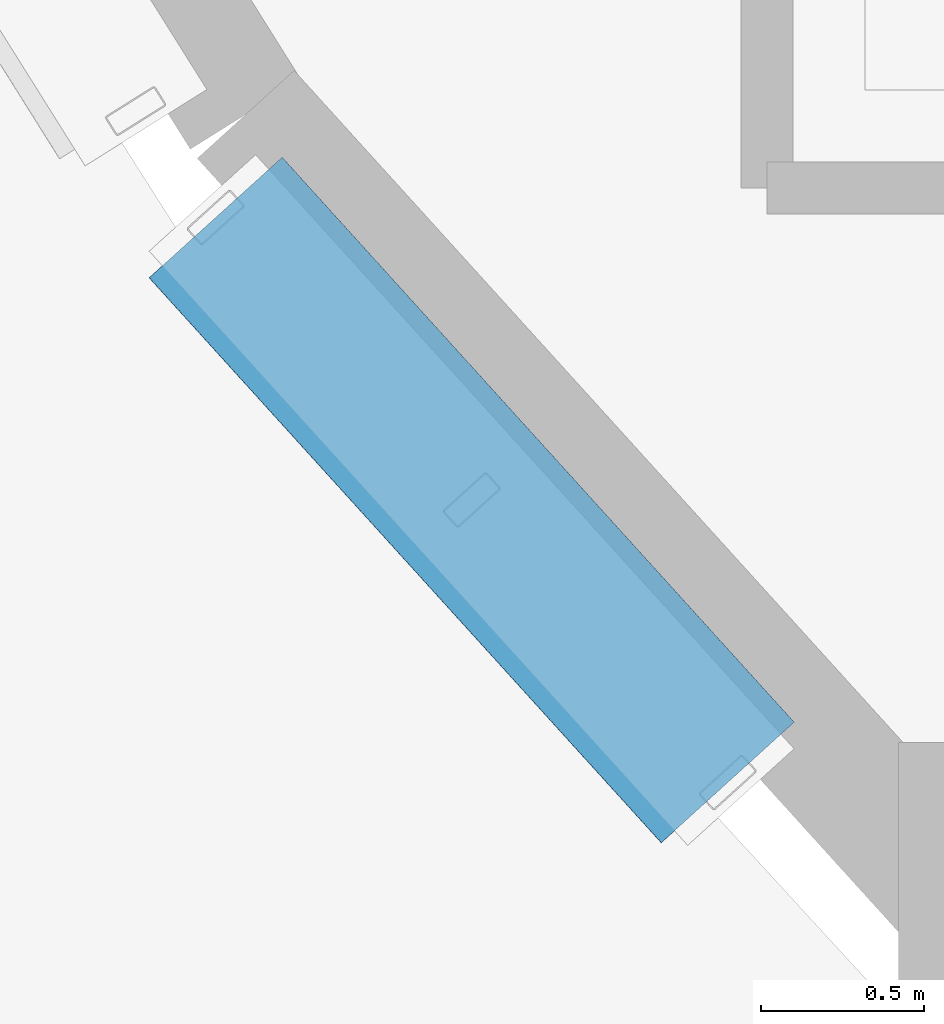
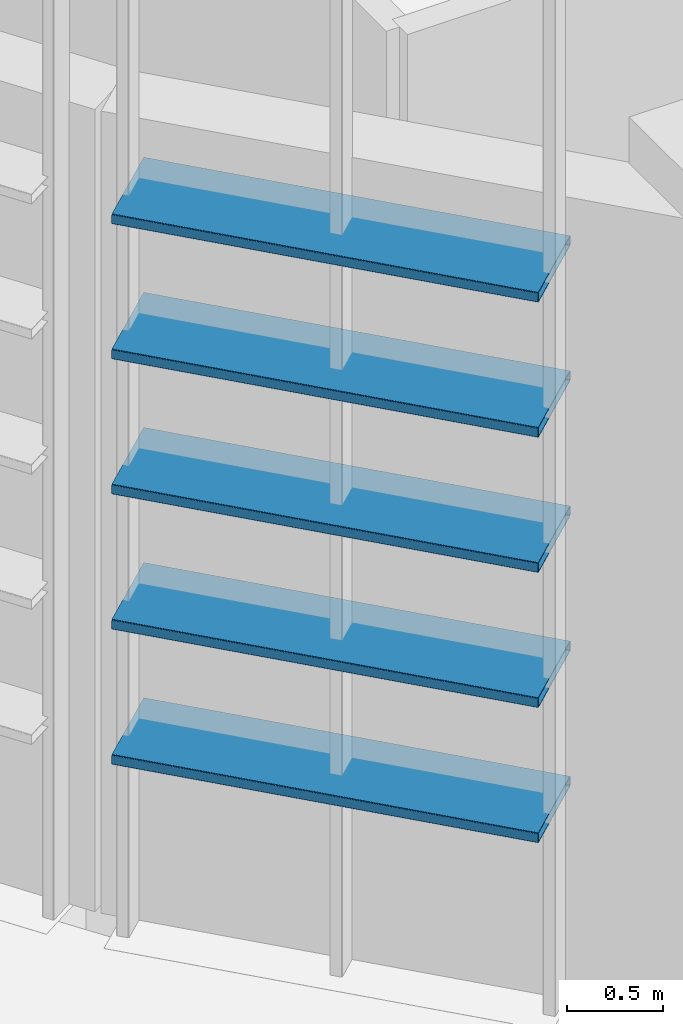
# One storey, part 20 of 372: 5 members.
"""IFC4 building model written with IfcOpenShell, lengths in metres."""

from ifc_helpers import new_model, si_unit, direction, frame, origin, origin_2d, place, context, subcontext, project, spatial, hollow_rectangle, extrude, material, material_profile, profile_set, type_object, element, save


model = new_model("IFC4")

# Units and contexts
model_context = context("Model", 3, precision=1e-05, world=origin(), true_north=direction((0.0, 1.0)))
body_context = subcontext(model_context, "Body", "Model", "MODEL_VIEW")
ifc_project = project(units=[si_unit("LENGTHUNIT", "METRE"), si_unit("AREAUNIT", "SQUARE_METRE"), si_unit("VOLUMEUNIT", "CUBIC_METRE"), si_unit("PLANEANGLEUNIT", "RADIAN"), si_unit("MASSUNIT", "GRAM", prefix="KILO")], contexts=[model_context])

# Site, building, storey
site_placement = place(None, origin())
site = spatial("IfcSite", under=ifc_project, at=site_placement, CompositionType="ELEMENT")
building_placement = place(site_placement, origin())
building = spatial("IfcBuilding", under=site, at=building_placement, Name="Kaelora Sail Theatre", CompositionType="ELEMENT")
storey_placement = place(building_placement, origin())
storey = spatial("IfcBuildingStorey", under=building, at=storey_placement, Name="L00", CompositionType="ELEMENT", Elevation=0.0)

# Members
ifc_material = material(Name="Anodised aluminium 6063-T6", Category="aluminium")
ifc_material_profile = material_profile(ifc_material, hollow_rectangle(XDim=0.550048828125, YDim=0.06494140625, WallThickness=0.00390625, InnerFilletRadius=0.00390625, OuterFilletRadius=0.008056640625, at=origin_2d()), Name="LOUVRE 550x65x4")
ifc_profile_set = profile_set([ifc_material_profile], Name="Anodised aluminium 6063-T6")
member_type = type_object("IfcMemberType", Name="ARC-MEM-LVR-300", PredefinedType="USERDEFINED", material=ifc_profile_set)
for number, where, z_axis, x_axis, name in (
    (1, (33.080078125, 27.680419921875, 1.25), (-0.671589400994, 0.740923529437, 0.0), (-0.740923529437, -0.671589400994, 0.0), "Main Theatre Sail Drum horizontal solar louvre C15-01"),
    (2, (33.080078125, 27.680419921875, 2.110107421875), (-0.671589400994, 0.740923529437, 0.0), (-0.740923529437, -0.671589400994, 0.0), "Main Theatre Sail Drum horizontal solar louvre C15-02"),
    (3, (33.080078125, 27.680419921875, 2.969970703125), (-0.671589400994, 0.740923529437, 0.0), (-0.740923529437, -0.671589400994, 0.0), "Main Theatre Sail Drum horizontal solar louvre C15-03"),
    (4, (33.080078125, 27.680419921875, 3.830078125), (-0.671589400994, 0.740923529437, 0.0), (-0.740923529437, -0.671589400994, 0.0), "Main Theatre Sail Drum horizontal solar louvre C15-04"),
    (5, (33.080078125, 27.680419921875, 4.68994140625), (-0.671589400994, 0.740923529437, 0.0), (-0.740923529437, -0.671589400994, 0.0), "Main Theatre Sail Drum horizontal solar louvre C15-05"),
):
    element("IfcMember", number, at=place(storey_placement, frame(where, z_axis=z_axis, x_axis=x_axis)), inside=storey, type_object=member_type, Name=name, ObjectType="LOUVRE", PredefinedType="USERDEFINED", context=body_context, shape_type="SweptSolid", body=[
        extrude(hollow_rectangle(XDim=0.550048828125, YDim=0.06494140625, WallThickness=0.00390625, InnerFilletRadius=0.00390625, OuterFilletRadius=0.008056640625, at=origin_2d()), origin(), (0.0, 0.0, 1.0), 2.33447265625),
    ])

save(model, "model.ifc")
